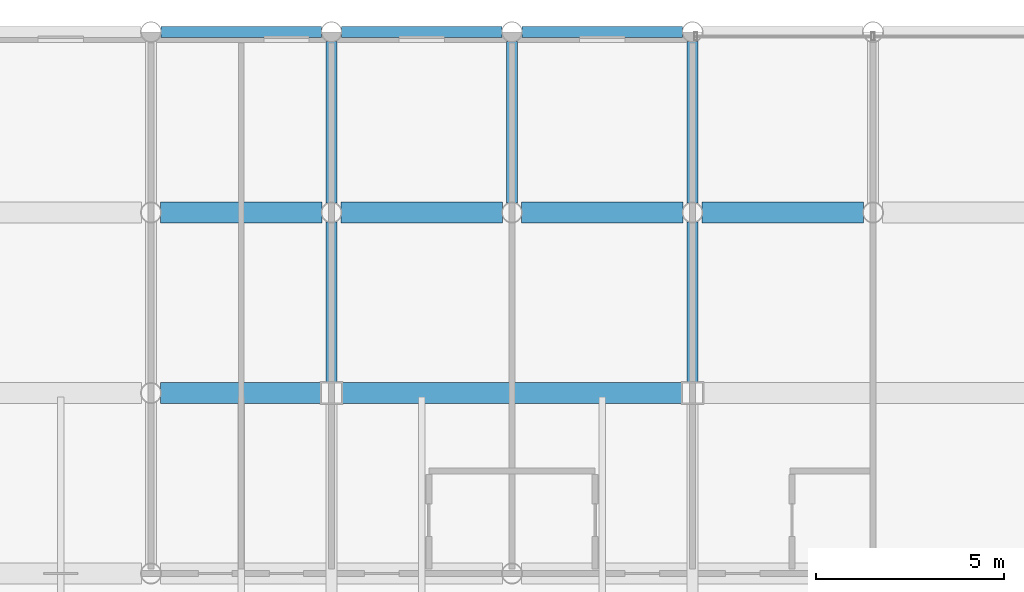
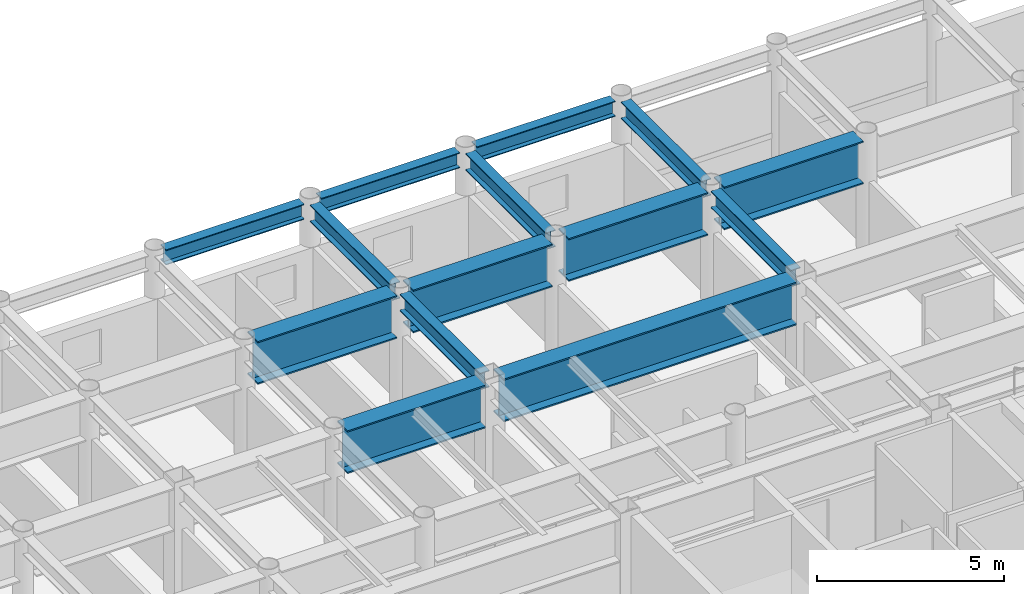
# One storey, part 13 of 25: 14 beams.
"""IFC4 building model written with IfcOpenShell, lengths in metres."""

import ifcopenshell
import ifcopenshell.guid

model = None  # the IFC model being written
_history = None  # IfcOwnerHistory: only IFC2X3 demands one
_inside = {}  # id of a spatial element -> (the spatial element, [elements in it])
_under = {}  # id of a project, library or spatial element -> (it, [spatial elements below it])
_declared = {}  # id of a project -> (the project, [libraries it declares])
_typed = {}  # id of a type object -> (the type object, [elements of that type])
_made_of = {}  # id of a material, layer set ... -> (it, [elements and type objects made of it])


def new_model(schema):
    """Start an empty IFC model of exactly this schema.

    Asked for "IFC4X3", IfcOpenShell would pick the latest addendum, in which some entities
    have other attributes; the version numbers below select the first issue.
    IFC2X3 requires an IfcOwnerHistory on every rooted entity: one is made here for all.
    """
    global model, _history
    if schema == "IFC4X3":
        model = ifcopenshell.file(schema_version=(4, 3, 0, 0))
    else:
        model = ifcopenshell.file(schema=schema)
    _inside.clear()
    _under.clear()
    _declared.clear()
    _typed.clear()
    _made_of.clear()
    _history = None
    if model.schema == "IFC2X3":
        org = make("IfcOrganization", Name="unknown")
        user = make(
            "IfcPersonAndOrganization",
            ThePerson=make("IfcPerson", FamilyName="unknown"),
            TheOrganization=org,
        )
        app = make(
            "IfcApplication",
            ApplicationDeveloper=org,
            Version="unknown",
            ApplicationFullName="unknown",
            ApplicationIdentifier="unknown",
        )
        _history = make(
            "IfcOwnerHistory",
            OwningUser=user,
            OwningApplication=app,
            ChangeAction="ADDED",
            CreationDate=0,
        )
    return model


def make(cls, **values):
    """One entity of the class cls with the attributes given. An attribute that is None is left unset."""
    return model.create_entity(
        cls, **{name: value for name, value in values.items() if value is not None}
    )


def rooted(cls, **values):
    """An entity with a GlobalId (a new one), such as an element, a storey or a relation."""
    return make(cls, GlobalId=ifcopenshell.guid.new(), OwnerHistory=_history, **values)


def si_unit(unit_type, name, prefix=None):
    """IfcSIUnit, for example si_unit("LENGTHUNIT", "METRE", prefix="MILLI")."""
    return make("IfcSIUnit", UnitType=unit_type, Prefix=prefix, Name=name)


def assignment(units):
    """IfcUnitAssignment: the units of a project."""
    return None if units is None else make("IfcUnitAssignment", Units=units)


def point(xyz):
    """IfcCartesianPoint."""
    return None if xyz is None else make("IfcCartesianPoint", Coordinates=xyz)


def direction(xyz):
    """IfcDirection."""
    return None if xyz is None else make("IfcDirection", DirectionRatios=xyz)


def frame(location, z_axis=None, x_axis=None):
    """IfcAxis2Placement3D, a coordinate frame: its origin and axes. An axis left out is left unset."""
    return make(
        "IfcAxis2Placement3D",
        Location=point(location),
        Axis=direction(z_axis),
        RefDirection=direction(x_axis),
    )


def frame_2d(location, x_axis=None):
    """IfcAxis2Placement2D, a coordinate frame in the plane: its origin and x axis."""
    return make(
        "IfcAxis2Placement2D", Location=point(location), RefDirection=direction(x_axis)
    )


def origin():
    """The frame at (0, 0, 0) with its axes left unset."""
    return frame((0.0, 0.0, 0.0))


def origin_2d():
    """The frame at (0, 0) in the plane with its x axis left unset."""
    return frame_2d((0.0, 0.0))


def place(relative_to, where):
    """IfcLocalPlacement: puts the frame where relative to a parent placement (None: the world)."""
    return make(
        "IfcLocalPlacement", PlacementRelTo=relative_to, RelativePlacement=where
    )


def context(
    kind, dimensions, precision=None, world=None, true_north=None, identifier=None
):
    """IfcGeometricRepresentationContext, for example the 3D "Model" context."""
    return make(
        "IfcGeometricRepresentationContext",
        ContextIdentifier=identifier,
        ContextType=kind,
        CoordinateSpaceDimension=dimensions,
        Precision=precision,
        WorldCoordinateSystem=world,
        TrueNorth=true_north,
    )


def subcontext(parent, identifier, kind, view, scale=None):
    """IfcGeometricRepresentationSubContext, for example "Body" below "Model"."""
    return make(
        "IfcGeometricRepresentationSubContext",
        ContextIdentifier=identifier,
        ContextType=kind,
        ParentContext=parent,
        TargetScale=scale,
        TargetView=view,
    )


def project(units=None, contexts=None):
    """IfcProject with its units and contexts."""
    return rooted(
        "IfcProject",
        Name="project",
        RepresentationContexts=contexts,
        UnitsInContext=assignment(units),
    )


def spatial(cls, under=None, at=None, **own):
    """A site, building, storey or space (cls), placed at a placement, below another one or the project."""
    s = rooted(cls, ObjectPlacement=at, **own)
    if under is not None:
        _under.setdefault(under.id(), (under, []))[1].append(s)
    return s


def profile(cls, at=None, kind="AREA", **sizes):
    """A parametric profile (cls). Its sizes go by their IFC names, for example OverallWidth=200.0."""
    return make(cls, ProfileType=kind, Position=at, **sizes)


def i_section(**sizes):
    """IfcIShapeProfileDef."""
    return profile("IfcIShapeProfileDef", **sizes)


def extrude(swept, where, along, depth):
    """IfcExtrudedAreaSolid: the profile swept, set in the frame where, extruded along a direction by depth."""
    return make(
        "IfcExtrudedAreaSolid",
        SweptArea=swept,
        Position=where,
        ExtrudedDirection=direction(along),
        Depth=depth,
    )


def shape(context_of_items, identifier, shape_type, items):
    """IfcShapeRepresentation: the items that make up one representation, for example the "Body"."""
    return make(
        "IfcShapeRepresentation",
        ContextOfItems=context_of_items,
        RepresentationIdentifier=identifier,
        RepresentationType=shape_type,
        Items=items,
    )


def material(Name=None, Category=None):
    """IfcMaterial."""
    return make("IfcMaterial", Name=Name, Category=Category)


def material_profile(
    of_material, cross_section, Name=None, Category=None, Priority=None
):
    """IfcMaterialProfile: a cross section and its material."""
    return make(
        "IfcMaterialProfile",
        Name=Name,
        Material=of_material,
        Profile=cross_section,
        Priority=Priority,
        Category=Category,
    )


def profile_set(profiles, Name=None, composite=None):
    """IfcMaterialProfileSet."""
    return make(
        "IfcMaterialProfileSet",
        Name=Name,
        MaterialProfiles=profiles,
        CompositeProfile=composite,
    )


def made_of(thing, what):
    """Note that an element or type object is made of a material, layer set ...; save() writes the relation."""
    if what is not None:
        _made_of.setdefault(what.id(), (what, []))[1].append(thing)
    return thing


def type_object(cls, material=None, **own):
    """A type object (cls), such as IfcWallType, which elements share."""
    return made_of(rooted(cls, **own), material)


def element(
    cls,
    number,
    at=None,
    inside=None,
    cuts=None,
    type_object=None,
    material=None,
    context=None,
    identifier="Body",
    shape_type=None,
    held_by="IfcProductDefinitionShape",
    body=None,
    shapes=None,
    **own,
):
    """One element of the class cls, such as IfcWall. Its Tag is "e" and its number.

    at: its placement. inside: the storey or other place that contains it. cuts: it is an
    opening in that element (IfcRelVoidsElement). A single representation is given by context,
    identifier, shape_type and body (its items); several are given by shapes. held_by: the class
    of the entity that holds the representations. save() writes the other relations.
    """
    e = rooted(cls, Tag="e%d" % number, ObjectPlacement=at, **own)
    if body is not None:
        shapes = [shape(context, identifier, shape_type, body)]
    if shapes is not None:
        e.Representation = make(held_by, Representations=shapes)
    if inside is not None:
        _inside.setdefault(inside.id(), (inside, []))[1].append(e)
    if cuts is not None:
        rooted(
            "IfcRelVoidsElement", RelatingBuildingElement=cuts, RelatedOpeningElement=e
        )
    if type_object is not None:
        _typed.setdefault(type_object.id(), (type_object, []))[1].append(e)
    return made_of(e, material)


def aggregate(whole, parts):
    """IfcRelAggregates: a whole, such as a stair, and the parts it consists of."""
    return rooted("IfcRelAggregates", RelatingObject=whole, RelatedObjects=parts)


def save(model, path):
    """Write the relations noted so far, then the file.

    IfcRelAggregates (storeys below a building ...), IfcRelContainedInSpatialStructure (elements
    in a storey), IfcRelDefinesByType, IfcRelAssociatesMaterial and IfcRelDeclares: one each for
    every whole, place, type object, material and project.
    """
    for whole, parts in _under.values():
        aggregate(whole, parts)
    for where, things in _inside.values():
        rooted(
            "IfcRelContainedInSpatialStructure",
            RelatedElements=things,
            RelatingStructure=where,
        )
    for kind, things in _typed.values():
        rooted("IfcRelDefinesByType", RelatedObjects=things, RelatingType=kind)
    for what, things in _made_of.values():
        rooted("IfcRelAssociatesMaterial", RelatedObjects=things, RelatingMaterial=what)
    for by, libraries in _declared.values():
        rooted("IfcRelDeclares", RelatingContext=by, RelatedDefinitions=libraries)
    model.write(path)


model = new_model("IFC4")

# Units and contexts
model_context = context("Model", 3, precision=1e-05, world=origin(), true_north=direction((0.0, 1.0)))
body_context = subcontext(model_context, "Body", "Model", "MODEL_VIEW")
ifc_project = project(units=[si_unit("LENGTHUNIT", "METRE"), si_unit("AREAUNIT", "SQUARE_METRE"), si_unit("VOLUMEUNIT", "CUBIC_METRE"), si_unit("PLANEANGLEUNIT", "RADIAN"), si_unit("MASSUNIT", "GRAM", prefix="KILO")], contexts=[model_context])

# Site, building, storey
site_placement = place(None, origin())
site = spatial("IfcSite", under=ifc_project, at=site_placement, CompositionType="ELEMENT")
building_placement = place(site_placement, origin())
building = spatial("IfcBuilding", under=site, at=building_placement, Name="Kallvorn Hotel Tower", CompositionType="ELEMENT")
storey_placement = place(building_placement, frame((0.0, 0.0, 249.25)))
storey = spatial("IfcBuildingStorey", under=building, at=storey_placement, Name="L62", CompositionType="ELEMENT", Elevation=249.25)

# Beams
ifc_material_1 = material(Name="Structural steel S355JR", Category="steel")
ifc_material_profile_1 = material_profile(ifc_material_1, i_section(OverallWidth=0.300048828125, OverallDepth=0.5, WebThickness=0.014404296875, FlangeThickness=0.028076171875, at=origin_2d()), Name="HE 500 B")
ifc_profile_set_1 = profile_set([ifc_material_profile_1], Name="Structural steel S355JR")
beam_type_1 = type_object("IfcBeamType", Name="BM_HE500B", PredefinedType="SPANDREL", material=ifc_profile_set_1)
beam_1_placement = place(storey_placement, frame((-18.930419921875, 24.0, 3.419921875), z_axis=(1.0, 0.0, 0.0), x_axis=(0.0, 1.0, 0.0)))
element("IfcBeam", 1, at=beam_1_placement, inside=storey, type_object=beam_type_1, Name="L63 Perimeter Spandrel 165", PredefinedType="SPANDREL", context=body_context, shape_type="SweptSolid", body=[
    extrude(i_section(OverallWidth=0.300048828125, OverallDepth=0.5, WebThickness=0.014404296875, FlangeThickness=0.028076171875, at=origin_2d()), origin(), (0.0, 0.0, 1.0), 4.260986328125),
])
beam_2_placement = place(storey_placement, frame((-14.130615234375, 24.0, 3.419921875), z_axis=(1.0, 0.0, 0.0), x_axis=(0.0, 1.0, 0.0)))
element("IfcBeam", 2, at=beam_2_placement, inside=storey, type_object=beam_type_1, Name="L63 Perimeter Spandrel 166", PredefinedType="SPANDREL", context=body_context, shape_type="SweptSolid", body=[
    extrude(i_section(OverallWidth=0.300048828125, OverallDepth=0.5, WebThickness=0.014404296875, FlangeThickness=0.028076171875, at=origin_2d()), origin(), (0.0, 0.0, 1.0), 4.26123046875),
])
beam_3_placement = place(storey_placement, frame((-9.33056640625, 24.0, 3.419921875), z_axis=(1.0, 0.0, 0.0), x_axis=(0.0, 1.0, 0.0)))
element("IfcBeam", 3, at=beam_3_placement, inside=storey, type_object=beam_type_1, Name="L63 Perimeter Spandrel 167", PredefinedType="SPANDREL", context=body_context, shape_type="SweptSolid", body=[
    extrude(i_section(OverallWidth=0.300048828125, OverallDepth=0.5, WebThickness=0.014404296875, FlangeThickness=0.028076171875, at=origin_2d()), origin(), (0.0, 0.0, 1.0), 4.260986328125),
])
ifc_material_2 = material(Name="Structural steel S355JR", Category="steel")
ifc_material_profile_2 = material_profile(ifc_material_2, i_section(OverallWidth=0.300048828125, OverallDepth=0.550048828125, WebThickness=0.014892578125, FlangeThickness=0.029052734375, at=origin_2d()), Name="HE 550 B")
ifc_profile_set_2 = profile_set([ifc_material_profile_2], Name="Structural steel S355JR")
beam_type_2 = type_object("IfcBeamType", Name="BM_HE550B", PredefinedType="SPANDREL", material=ifc_profile_set_2)
beam_4_placement = place(storey_placement, frame((-14.39990234375, 14.675048828125, 3.39501953125), z_axis=(0.0, 1.0, 0.0), x_axis=(-1.0, 0.0, 0.0)))
element("IfcBeam", 4, at=beam_4_placement, inside=storey, type_object=beam_type_2, Name="L63 Primary Y-Girder 101", PredefinedType="SPANDREL", context=body_context, shape_type="SweptSolid", body=[
    extrude(i_section(OverallWidth=0.300048828125, OverallDepth=0.550048828125, WebThickness=0.014892578125, FlangeThickness=0.029052734375, at=origin_2d()), origin(), (0.0, 0.0, 1.0), 4.2705078125),
])
for number, where, z_axis, x_axis, name in (
    (5, (-14.39990234375, 19.45458984375, 3.39501953125), (0.0, 1.0, 0.0), (-1.0, 0.0, 0.0), "L63 Primary Y-Girder 102"),
    (6, (-9.60009765625, 19.45458984375, 3.39501953125), (0.0, 1.0, 0.0), (-1.0, 0.0, 0.0), "L63 Primary Y-Girder 105"),
):
    element("IfcBeam", number, at=place(storey_placement, frame(where, z_axis=z_axis, x_axis=x_axis)), inside=storey, type_object=beam_type_2, Name=name, PredefinedType="SPANDREL", context=body_context, shape_type="SweptSolid", body=[
        extrude(i_section(OverallWidth=0.300048828125, OverallDepth=0.550048828125, WebThickness=0.014892578125, FlangeThickness=0.029052734375, at=origin_2d()), origin(), (0.0, 0.0, 1.0), 4.291015625),
    ])
beam_5_placement = place(storey_placement, frame((-4.800048828125, 14.675048828125, 3.39501953125), z_axis=(0.0, 1.0, 0.0), x_axis=(-1.0, 0.0, 0.0)))
element("IfcBeam", 7, at=beam_5_placement, inside=storey, type_object=beam_type_2, Name="L63 Primary Y-Girder 109", PredefinedType="SPANDREL", context=body_context, shape_type="SweptSolid", body=[
    extrude(i_section(OverallWidth=0.300048828125, OverallDepth=0.550048828125, WebThickness=0.014892578125, FlangeThickness=0.029052734375, at=origin_2d()), origin(), (0.0, 0.0, 1.0), 4.2705078125),
])
beam_6_placement = place(storey_placement, frame((-4.800048828125, 19.45458984375, 3.39501953125), z_axis=(0.0, 1.0, 0.0), x_axis=(-1.0, 0.0, 0.0)))
element("IfcBeam", 8, at=beam_6_placement, inside=storey, type_object=beam_type_2, Name="L63 Primary Y-Girder 110", PredefinedType="SPANDREL", context=body_context, shape_type="SweptSolid", body=[
    extrude(i_section(OverallWidth=0.300048828125, OverallDepth=0.550048828125, WebThickness=0.014892578125, FlangeThickness=0.029052734375, at=origin_2d()), origin(), (0.0, 0.0, 1.0), 4.291015625),
])
ifc_material_3 = material(Name="Structural steel S355JR", Category="steel")
ifc_material_profile_3 = material_profile(ifc_material_3, i_section(OverallWidth=0.550048828125, OverallDepth=1.39990234375, WebThickness=0.02490234375, FlangeThickness=0.044921875, at=origin_2d()), Name="PG 1400x550x25x45")
ifc_profile_set_3 = profile_set([ifc_material_profile_3], Name="Structural steel S355JR")
beam_type_3 = type_object("IfcBeamType", Name="BM_PG_1400", PredefinedType="BEAM", material=ifc_profile_set_3)
beam_7_placement = place(storey_placement, frame((-18.945556640625, 14.39990234375, 2.969970703125), z_axis=(1.0, 0.0, 0.0), x_axis=(0.0, 1.0, 0.0)))
element("IfcBeam", 9, at=beam_7_placement, inside=storey, type_object=beam_type_3, Name="L63 Primary X-Girder 53", PredefinedType="BEAM", context=body_context, shape_type="SweptSolid", body=[
    extrude(i_section(OverallWidth=0.550048828125, OverallDepth=1.39990234375, WebThickness=0.02490234375, FlangeThickness=0.044921875, at=origin_2d()), origin(), (0.0, 0.0, 1.0), 4.2705078125),
])
beam_8_placement = place(storey_placement, frame((-14.125, 14.39990234375, 2.969970703125), z_axis=(1.0, 0.0, 0.0), x_axis=(0.0, 1.0, 0.0)))
element("IfcBeam", 10, at=beam_8_placement, inside=storey, type_object=beam_type_3, Name="L63 Primary X-Girder 54", PredefinedType="BEAM", context=body_context, shape_type="SweptSolid", body=[
    extrude(i_section(OverallWidth=0.550048828125, OverallDepth=1.39990234375, WebThickness=0.02490234375, FlangeThickness=0.044921875, at=origin_2d()), origin(), (0.0, 0.0, 1.0), 9.050048828125),
])
for number, where, z_axis, x_axis, name in (
    (11, (-18.945556640625, 19.199951171875, 2.969970703125), (1.0, 0.0, 0.0), (0.0, 1.0, 0.0), "L63 Primary X-Girder 63"),
    (12, (-14.1455078125, 19.199951171875, 2.969970703125), (1.0, 0.0, 0.0), (0.0, 1.0, 0.0), "L63 Primary X-Girder 64"),
    (13, (-9.345458984375, 19.199951171875, 2.969970703125), (1.0, 0.0, 0.0), (0.0, 1.0, 0.0), "L63 Primary X-Girder 65"),
    (14, (-4.54541015625, 19.199951171875, 2.969970703125), (1.0, 0.0, 0.0), (0.0, 1.0, 0.0), "L63 Primary X-Girder 66"),
):
    element("IfcBeam", number, at=place(storey_placement, frame(where, z_axis=z_axis, x_axis=x_axis)), inside=storey, type_object=beam_type_3, Name=name, PredefinedType="BEAM", context=body_context, shape_type="SweptSolid", body=[
        extrude(i_section(OverallWidth=0.550048828125, OverallDepth=1.39990234375, WebThickness=0.02490234375, FlangeThickness=0.044921875, at=origin_2d()), origin(), (0.0, 0.0, 1.0), 4.291015625),
    ])

save(model, "model.ifc")
